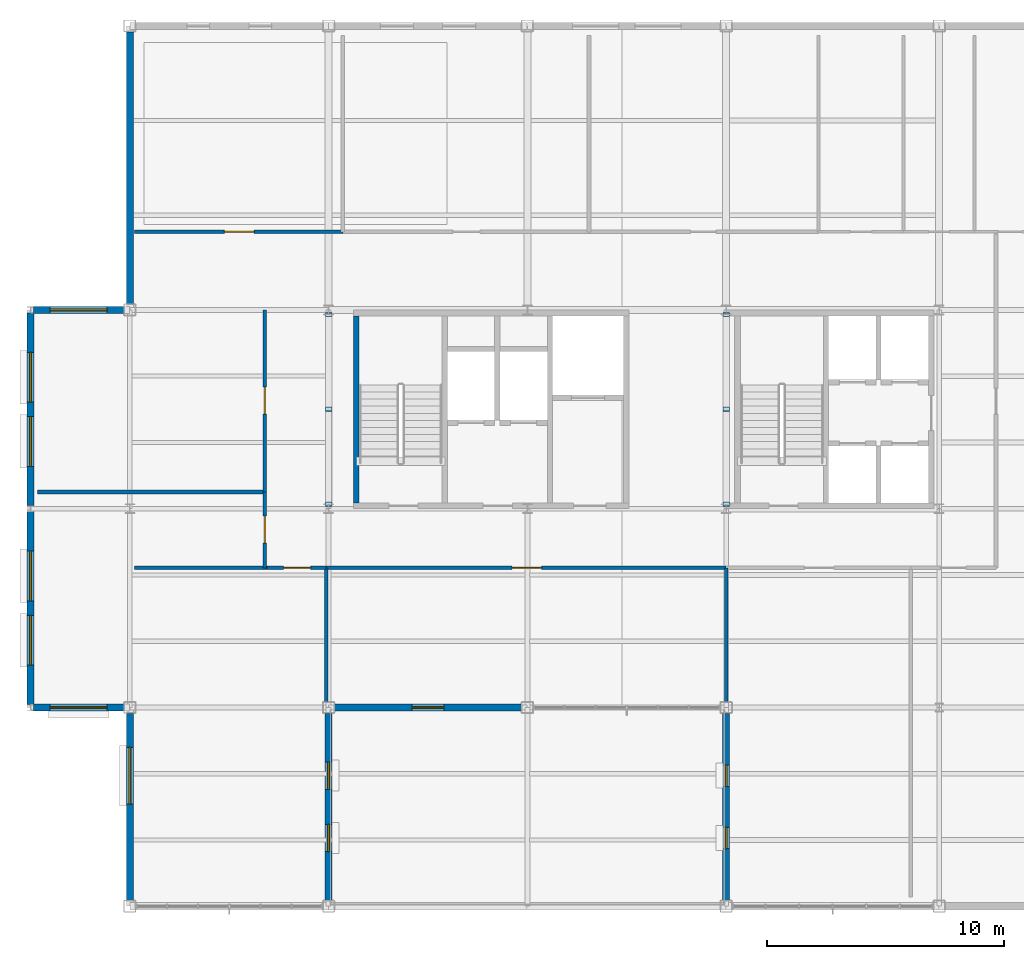
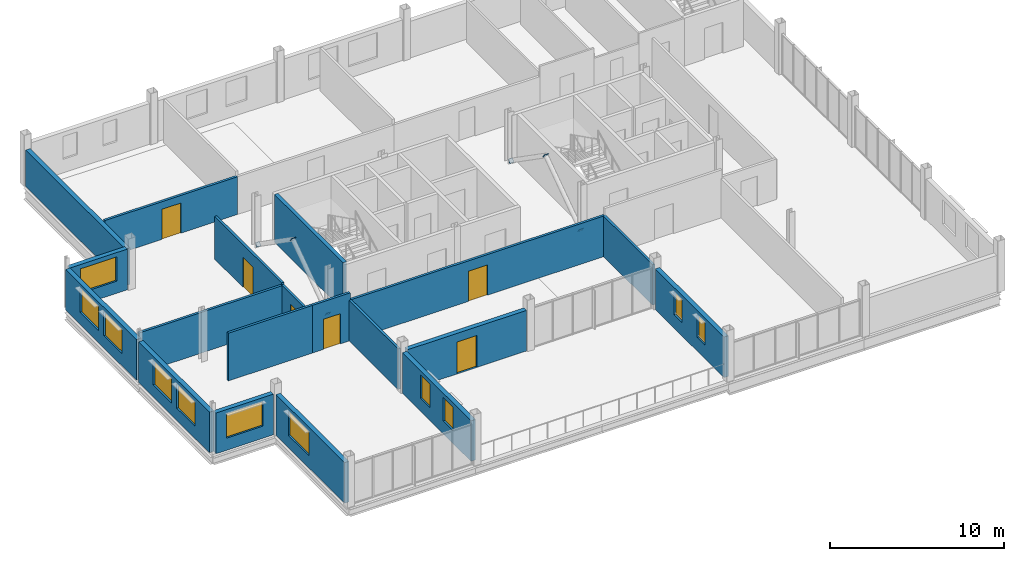
# One storey, part 13 of 20: 19 walls, 11 windows, 6 doors, 6 plates, 17 openings.
"""IFC4 building model written with IfcOpenShell, lengths in metres."""

from ifc_helpers import new_model, si_unit, direction, frame, frame_2d, origin, origin_2d, place, context, subcontext, project, spatial, rectangle, extrude, material, layer, layer_set, type_object, element, fill, save


model = new_model("IFC4")

# Units and contexts
model_context = context("Model", 3, precision=1e-05, world=origin(), true_north=direction((0.0, 1.0)))
body_context = subcontext(model_context, "Body", "Model", "MODEL_VIEW")
ifc_project = project(units=[si_unit("LENGTHUNIT", "METRE"), si_unit("AREAUNIT", "SQUARE_METRE"), si_unit("VOLUMEUNIT", "CUBIC_METRE"), si_unit("PLANEANGLEUNIT", "RADIAN"), si_unit("MASSUNIT", "GRAM", prefix="KILO")], contexts=[model_context])

# Site, building, storey
site_placement = place(None, origin())
site = spatial("IfcSite", under=ifc_project, at=site_placement, CompositionType="ELEMENT")
building_placement = place(site_placement, origin())
building = spatial("IfcBuilding", under=site, at=building_placement, Name="Yukiwa Park Conservatory and Herbarium", CompositionType="ELEMENT")
storey_placement = place(building_placement, frame((0.0, 0.0, 28.199951171875)))
storey = spatial("IfcBuildingStorey", under=building, at=storey_placement, Name="L07", CompositionType="ELEMENT", Elevation=28.199951171875)

# Plates
ifc_material_1 = material(Name="Steel Q355D", Category="steel")
ifc_layer_1 = layer(ifc_material_1, 0.02392578125)
ifc_layer_set_1 = layer_set([ifc_layer_1], Name="Steel Q355D")
plate_type = type_object("IfcPlateType", Name="PL-CAP-24-INT", PredefinedType="USERDEFINED", material=ifc_layer_set_1)
for number, where, z_axis, x_axis, name in (
    (1, (133.199951171875, 95.001953125, 0.1904296875), (0.0, -0.822557603224, -0.56868179976), (1.0, 0.0, 0.0), "Hollow section end cap plate CAP-BR-L07-041A"),
    (2, (133.199951171875, 98.993408203125, 2.972412109375), (0.0, 0.822557603224, 0.56868179976), (-1.0, 0.0, 0.0), "Hollow section end cap plate CAP-BR-L07-041B"),
    (3, (133.199951171875, 102.998046875, 0.1904296875), (0.0, 0.822557603224, -0.56868179976), (-1.0, 0.0, 0.0), "Hollow section end cap plate CAP-BR-L07-042A"),
    (4, (150.0, 95.001953125, 0.1904296875), (0.0, -0.822557603224, -0.56868179976), (1.0, 0.0, 0.0), "Hollow section end cap plate CAP-BR-L07-043A"),
    (5, (150.0, 98.993408203125, 2.972412109375), (0.0, 0.822557603224, 0.56868179976), (-1.0, 0.0, 0.0), "Hollow section end cap plate CAP-BR-L07-043B"),
    (6, (150.0, 102.998046875, 0.1904296875), (0.0, 0.822557603224, -0.56868179976), (-1.0, 0.0, 0.0), "Hollow section end cap plate CAP-BR-L07-044A"),
):
    element("IfcPlate", number, at=place(storey_placement, frame(where, z_axis=z_axis, x_axis=x_axis)), inside=storey, type_object=plate_type, Name=name, ObjectType="END CAP PLATE", PredefinedType="USERDEFINED", context=body_context, shape_type="SweptSolid", body=[
        extrude(rectangle(XDim=0.281005859375, YDim=0.281005859375, at=origin_2d()), origin(), (0.0, 0.0, 1.0), 0.02392578125),
    ])

# Wall
ifc_material_2 = material(Name="Concrete C50", Category="concrete")
ifc_layer_2 = layer(ifc_material_2, 0.239990234375)
ifc_layer_set_2 = layer_set([ifc_layer_2], Name="Concrete C50")
wall_type_1 = type_object("IfcWallType", Name="WL-CORE-RC240", PredefinedType="SHEAR", material=ifc_layer_set_2)
wall_1_placement = place(storey_placement, frame((134.3701171875, 95.050048828125, 0.0), z_axis=(0.0, 0.0, 1.0), x_axis=(0.0, 1.0, 0.0)))
element("IfcWall", 7, at=wall_1_placement, inside=storey, type_object=wall_type_1, Name="L07 core shear wall 472", PredefinedType="SHEAR", context=body_context, shape_type="SweptSolid", body=[
    extrude(rectangle(XDim=7.89990234375, YDim=0.239990234375, at=frame_2d((3.949951171875, 0.0))), origin(), (0.0, 0.0, 1.0), 3.35205078125),
])

# Wall, opening, window
ifc_material_3 = material(Name="Pale Granite Cladding", Category="masonry")
ifc_layer_3 = layer(ifc_material_3, 0.300048828125)
ifc_layer_set_3 = layer_set([ifc_layer_3], Name="Pale Granite Cladding")
wall_type_2 = type_object("IfcWallType", Name="WL-EXT-GRAN-300", PredefinedType="SOLIDWALL", material=ifc_layer_set_3)
wall_2_placement = place(storey_placement, frame((124.800048828125, 86.14990234375, 0.0), z_axis=(0.0, 0.0, 1.0), x_axis=(0.0, -1.0, 0.0)))
wall_2 = element("IfcWall", 8, at=wall_2_placement, inside=storey, type_object=wall_type_2, Name="L07 exterior envelope wall 303", PredefinedType="SOLIDWALL", context=body_context, shape_type="SweptSolid", body=[
    extrude(rectangle(XDim=7.89990234375, YDim=0.300048828125, at=frame_2d((3.949951171875, 0.0))), origin(), (0.0, 0.0, 1.0), 2.85205078125),
])
opening_1_placement = place(wall_2_placement, frame((1.43310546875, 0.0, 0.85009765625)))
opening_1 = element("IfcOpeningElement", 9, at=opening_1_placement, cuts=wall_2, Name="Opening W-09", PredefinedType="OPENING", context=body_context, shape_type="SweptSolid", body=[
    extrude(rectangle(XDim=2.39990234375, YDim=1.699951171875, at=frame_2d((1.199951171875, 0.85009765625))), frame((0.0, 0.16015625, 0.0), z_axis=(0.0, -1.0, 0.0), x_axis=(1.0, 0.0, 0.0)), (0.0, 0.0, 1.0), 0.320068359375),
])
ifc_material_4 = material(Name="Triple Low-E Insulated Glass", Category="glass")
window_type_1 = type_object("IfcWindowType", Name="WN-TW-2400X2100", PartitioningType="SINGLE_PANEL", PredefinedType="WINDOW", material=ifc_material_4)
window_1_placement = place(opening_1_placement, origin())
window_1 = element("IfcWindow", 10, at=window_1_placement, inside=storey, type_object=window_type_1, Name="L07 deep-reveal triple-glazed window 235", OverallHeight=1.699951171875, OverallWidth=2.39990234375, PartitioningType="SINGLE_PANEL", PredefinedType="WINDOW", context=body_context, shape_type="SweptSolid", body=[
    extrude(rectangle(XDim=2.39990234375, YDim=1.699951171875, at=frame_2d((1.199951171875, 0.85009765625))), frame((0.0, 0.030029296875, 0.0), z_axis=(0.0, -1.0, 0.0), x_axis=(1.0, 0.0, 0.0)), (0.0, 0.0, 1.0), 0.06005859375),
])
fill(opening_1, window_1)

# Wall, openings, windows
wall_3_placement = place(storey_placement, frame((133.199951171875, 78.25, 0.0), z_axis=(0.0, 0.0, 1.0), x_axis=(0.0, 1.0, 0.0)))
wall_3 = element("IfcWall", 11, at=wall_3_placement, inside=storey, type_object=wall_type_2, Name="L07 exterior envelope wall 304", PredefinedType="SOLIDWALL", context=body_context, shape_type="SweptSolid", body=[
    extrude(rectangle(XDim=7.89990234375, YDim=0.300048828125, at=frame_2d((3.949951171875, 0.0))), origin(), (0.0, 0.0, 1.0), 2.85205078125),
])
opening_2_placement = place(wall_3_placement, frame((2.05810546875, 0.0, 0.89990234375)))
opening_2 = element("IfcOpeningElement", 12, at=opening_2_placement, cuts=wall_3, Name="Opening W-22", PredefinedType="OPENING", context=body_context, shape_type="SweptSolid", body=[
    extrude(rectangle(XDim=1.14990234375, YDim=1.64990234375, at=frame_2d((0.574951171875, 0.824951171875))), frame((0.0, 0.16015625, 0.0), z_axis=(0.0, -1.0, 0.0), x_axis=(1.0, 0.0, 0.0)), (0.0, 0.0, 1.0), 0.320068359375),
])
opening_3_placement = place(wall_3_placement, frame((4.69189453125, 0.0, 0.89990234375)))
opening_3 = element("IfcOpeningElement", 13, at=opening_3_placement, cuts=wall_3, Name="Opening W-22", PredefinedType="OPENING", context=body_context, shape_type="SweptSolid", body=[
    extrude(rectangle(XDim=1.14990234375, YDim=1.64990234375, at=frame_2d((0.574951171875, 0.824951171875))), frame((0.0, 0.16015625, 0.0), z_axis=(0.0, -1.0, 0.0), x_axis=(1.0, 0.0, 0.0)), (0.0, 0.0, 1.0), 0.320068359375),
])
ifc_material_5 = material(Name="Triple Low-E Insulated Glass", Category="glass")
window_type_2 = type_object("IfcWindowType", Name="WN-TW-1150X2000", PartitioningType="SINGLE_PANEL", PredefinedType="WINDOW", material=ifc_material_5)
window_2_placement = place(opening_2_placement, origin())
window_2 = element("IfcWindow", 14, at=window_2_placement, inside=storey, type_object=window_type_2, Name="L07 deep-reveal triple-glazed window 236", OverallHeight=1.64990234375, OverallWidth=1.14990234375, PartitioningType="SINGLE_PANEL", PredefinedType="WINDOW", context=body_context, shape_type="SweptSolid", body=[
    extrude(rectangle(XDim=1.14990234375, YDim=1.64990234375, at=frame_2d((0.574951171875, 0.824951171875))), frame((0.0, 0.030029296875, 0.0), z_axis=(0.0, -1.0, 0.0), x_axis=(1.0, 0.0, 0.0)), (0.0, 0.0, 1.0), 0.06005859375),
])
fill(opening_2, window_2)
window_3_placement = place(opening_3_placement, origin())
window_3 = element("IfcWindow", 15, at=window_3_placement, inside=storey, type_object=window_type_2, Name="L07 deep-reveal triple-glazed window 237", OverallHeight=1.64990234375, OverallWidth=1.14990234375, PartitioningType="SINGLE_PANEL", PredefinedType="WINDOW", context=body_context, shape_type="SweptSolid", body=[
    extrude(rectangle(XDim=1.14990234375, YDim=1.64990234375, at=frame_2d((0.574951171875, 0.824951171875))), frame((0.0, 0.030029296875, 0.0), z_axis=(0.0, -1.0, 0.0), x_axis=(1.0, 0.0, 0.0)), (0.0, 0.0, 1.0), 0.06005859375),
])
fill(opening_3, window_3)

# Wall, opening, door
wall_4_placement = place(storey_placement, frame((133.449951171875, 86.39990234375, 0.0), z_axis=(0.0, 0.0, 1.0), x_axis=(1.0, 0.0, 0.0)))
wall_4 = element("IfcWall", 16, at=wall_4_placement, inside=storey, type_object=wall_type_2, Name="L07 exterior envelope wall 305", PredefinedType="SOLIDWALL", context=body_context, shape_type="SweptSolid", body=[
    extrude(rectangle(XDim=7.900146484375, YDim=0.300048828125, at=frame_2d((3.9501953125, 0.0))), origin(), (0.0, 0.0, 1.0), 2.85205078125),
])
opening_4_placement = place(wall_4_placement, frame((3.27490234375, 0.0, 0.0)))
opening_4 = element("IfcOpeningElement", 17, at=opening_4_placement, cuts=wall_4, Name="Opening TD-03", PredefinedType="OPENING", context=body_context, shape_type="SweptSolid", body=[
    extrude(rectangle(XDim=1.35009765625, YDim=2.239990234375, at=frame_2d((0.675048828125, 1.1201171875))), frame((0.0, 0.16015625, 0.0), z_axis=(0.0, -1.0, 0.0), x_axis=(1.0, 0.0, 0.0)), (0.0, 0.0, 1.0), 0.320068359375),
])
ifc_material_6 = material(Name="Steel Q235B", Category="steel")
door_type_1 = type_object("IfcDoorType", Name="DR-EXT-TER1350", OperationType="SINGLE_SWING_RIGHT", PredefinedType="DOOR", material=ifc_material_6)
door_1_placement = place(opening_4_placement, frame((1.35009765625, 0.0, 0.0), z_axis=(0.0, 0.0, 1.0), x_axis=(-1.0, 0.0, 0.0)))
door_1 = element("IfcDoor", 18, at=door_1_placement, inside=storey, type_object=door_type_1, Name="L07 Court Notch Terrace door", OperationType="SINGLE_SWING_RIGHT", OverallHeight=2.239990234375, OverallWidth=1.35009765625, PredefinedType="DOOR", context=body_context, shape_type="SweptSolid", body=[
    extrude(rectangle(XDim=1.35009765625, YDim=2.239990234375, at=frame_2d((0.675048828125, 1.1201171875))), frame((0.0, 0.02490234375, 0.0), z_axis=(0.0, -1.0, 0.0), x_axis=(1.0, 0.0, 0.0)), (0.0, 0.0, 1.0), 0.050048828125),
])
fill(opening_4, door_1)

# Wall, openings, windows
wall_5_placement = place(storey_placement, frame((150.0, 86.14990234375, 0.0), z_axis=(0.0, 0.0, 1.0), x_axis=(0.0, -1.0, 0.0)))
wall_5 = element("IfcWall", 19, at=wall_5_placement, inside=storey, type_object=wall_type_2, Name="L07 exterior envelope wall 306", PredefinedType="SOLIDWALL", context=body_context, shape_type="SweptSolid", body=[
    extrude(rectangle(XDim=7.89990234375, YDim=0.300048828125, at=frame_2d((3.949951171875, 0.0))), origin(), (0.0, 0.0, 1.0), 2.85205078125),
])
opening_5_placement = place(wall_5_placement, frame((2.18310546875, 0.0, 0.949951171875)))
opening_5 = element("IfcOpeningElement", 20, at=opening_5_placement, cuts=wall_5, Name="Opening W-01", PredefinedType="OPENING", context=body_context, shape_type="SweptSolid", body=[
    extrude(rectangle(XDim=0.89990234375, YDim=1.60009765625, at=frame_2d((0.449951171875, 0.800048828125))), frame((0.0, 0.16015625, 0.0), z_axis=(0.0, -1.0, 0.0), x_axis=(1.0, 0.0, 0.0)), (0.0, 0.0, 1.0), 0.320068359375),
])
opening_6_placement = place(wall_5_placement, frame((4.81689453125, 0.0, 0.949951171875)))
opening_6 = element("IfcOpeningElement", 21, at=opening_6_placement, cuts=wall_5, Name="Opening W-01", PredefinedType="OPENING", context=body_context, shape_type="SweptSolid", body=[
    extrude(rectangle(XDim=0.89990234375, YDim=1.60009765625, at=frame_2d((0.449951171875, 0.800048828125))), frame((0.0, 0.16015625, 0.0), z_axis=(0.0, -1.0, 0.0), x_axis=(1.0, 0.0, 0.0)), (0.0, 0.0, 1.0), 0.320068359375),
])
ifc_material_7 = material(Name="Triple Low-E Insulated Glass", Category="glass")
window_type_3 = type_object("IfcWindowType", Name="WN-TW-0900X1800", PartitioningType="SINGLE_PANEL", PredefinedType="WINDOW", material=ifc_material_7)
window_4_placement = place(opening_5_placement, origin())
window_4 = element("IfcWindow", 22, at=window_4_placement, inside=storey, type_object=window_type_3, Name="L07 deep-reveal triple-glazed window 238", OverallHeight=1.60009765625, OverallWidth=0.89990234375, PartitioningType="SINGLE_PANEL", PredefinedType="WINDOW", context=body_context, shape_type="SweptSolid", body=[
    extrude(rectangle(XDim=0.89990234375, YDim=1.60009765625, at=frame_2d((0.449951171875, 0.800048828125))), frame((0.0, 0.030029296875, 0.0), z_axis=(0.0, -1.0, 0.0), x_axis=(1.0, 0.0, 0.0)), (0.0, 0.0, 1.0), 0.06005859375),
])
fill(opening_5, window_4)
window_5_placement = place(opening_6_placement, origin())
window_5 = element("IfcWindow", 23, at=window_5_placement, inside=storey, type_object=window_type_3, Name="L07 deep-reveal triple-glazed window 239", OverallHeight=1.60009765625, OverallWidth=0.89990234375, PartitioningType="SINGLE_PANEL", PredefinedType="WINDOW", context=body_context, shape_type="SweptSolid", body=[
    extrude(rectangle(XDim=0.89990234375, YDim=1.60009765625, at=frame_2d((0.449951171875, 0.800048828125))), frame((0.0, 0.030029296875, 0.0), z_axis=(0.0, -1.0, 0.0), x_axis=(1.0, 0.0, 0.0)), (0.0, 0.0, 1.0), 0.06005859375),
])
fill(opening_6, window_5)

# Wall
wall_6_placement = place(storey_placement, frame((124.800048828125, 114.949951171875, 0.0), z_axis=(0.0, 0.0, 1.0), x_axis=(0.0, -1.0, 0.0)))
element("IfcWall", 24, at=wall_6_placement, inside=storey, type_object=wall_type_2, Name="L07 exterior envelope wall 315", PredefinedType="SOLIDWALL", context=body_context, shape_type="SweptSolid", body=[
    extrude(rectangle(XDim=11.5, YDim=0.300048828125, at=frame_2d((5.75, 0.0))), origin(), (0.0, 0.0, 1.0), 2.56005859375),
])

# Wall, opening, window
wall_7_placement = place(storey_placement, frame((124.550048828125, 103.199951171875, 0.0), z_axis=(0.0, 0.0, 1.0), x_axis=(-1.0, 0.0, 0.0)))
wall_7 = element("IfcWall", 25, at=wall_7_placement, inside=storey, type_object=wall_type_2, Name="L07 exterior envelope wall 316", PredefinedType="SOLIDWALL", context=body_context, shape_type="SweptSolid", body=[
    extrude(rectangle(XDim=3.824951171875, YDim=0.300048828125, at=frame_2d((1.91259765625, 0.0))), origin(), (0.0, 0.0, 1.0), 2.858154296875),
])
opening_7_placement = place(wall_7_placement, frame((0.712890625, 0.0, 0.85009765625)))
opening_7 = element("IfcOpeningElement", 26, at=opening_7_placement, cuts=wall_7, Name="Opening W-09", PredefinedType="OPENING", context=body_context, shape_type="SweptSolid", body=[
    extrude(rectangle(XDim=2.39990234375, YDim=1.7099609375, at=frame_2d((1.199951171875, 0.85498046875))), frame((0.0, 0.16015625, 0.0), z_axis=(0.0, -1.0, 0.0), x_axis=(1.0, 0.0, 0.0)), (0.0, 0.0, 1.0), 0.320068359375),
])
window_6_placement = place(opening_7_placement, origin())
window_6 = element("IfcWindow", 27, at=window_6_placement, inside=storey, type_object=window_type_1, Name="L07 deep-reveal triple-glazed window 248", OverallHeight=1.7099609375, OverallWidth=2.39990234375, PartitioningType="SINGLE_PANEL", PredefinedType="WINDOW", context=body_context, shape_type="SweptSolid", body=[
    extrude(rectangle(XDim=2.39990234375, YDim=1.7099609375, at=frame_2d((1.199951171875, 0.85498046875))), frame((0.0, 0.030029296875, 0.0), z_axis=(0.0, -1.0, 0.0), x_axis=(1.0, 0.0, 0.0)), (0.0, 0.0, 1.0), 0.06005859375),
])
fill(opening_7, window_6)

# Wall, openings, windows
wall_8_placement = place(storey_placement, frame((120.60009765625, 103.074951171875, 0.0), z_axis=(0.0, 0.0, 1.0), x_axis=(0.0, -1.0, 0.0)))
wall_8 = element("IfcWall", 28, at=wall_8_placement, inside=storey, type_object=wall_type_2, Name="L07 exterior envelope wall 317", PredefinedType="SOLIDWALL", context=body_context, shape_type="SweptSolid", body=[
    extrude(rectangle(XDim=8.14990234375, YDim=0.300048828125, at=frame_2d((4.074951171875, 0.0))), origin(), (0.0, 0.0, 1.0), 2.85205078125),
])
opening_8_placement = place(wall_8_placement, frame((1.6669921875, 0.0, 0.85009765625)))
opening_8 = element("IfcOpeningElement", 29, at=opening_8_placement, cuts=wall_8, Name="Opening W-08", PredefinedType="OPENING", context=body_context, shape_type="SweptSolid", body=[
    extrude(rectangle(XDim=2.10009765625, YDim=1.699951171875, at=frame_2d((1.050048828125, 0.85009765625))), frame((0.0, 0.16015625, 0.0), z_axis=(0.0, -1.0, 0.0), x_axis=(1.0, 0.0, 0.0)), (0.0, 0.0, 1.0), 0.320068359375),
])
opening_9_placement = place(wall_8_placement, frame((4.383056640625, 0.0, 0.85009765625)))
opening_9 = element("IfcOpeningElement", 30, at=opening_9_placement, cuts=wall_8, Name="Opening W-08", PredefinedType="OPENING", context=body_context, shape_type="SweptSolid", body=[
    extrude(rectangle(XDim=2.10009765625, YDim=1.699951171875, at=frame_2d((1.050048828125, 0.85009765625))), frame((0.0, 0.16015625, 0.0), z_axis=(0.0, -1.0, 0.0), x_axis=(1.0, 0.0, 0.0)), (0.0, 0.0, 1.0), 0.320068359375),
])
ifc_material_8 = material(Name="Triple Low-E Insulated Glass", Category="glass")
window_type_4 = type_object("IfcWindowType", Name="WN-TW-2100X2100", PartitioningType="SINGLE_PANEL", PredefinedType="WINDOW", material=ifc_material_8)
window_7_placement = place(opening_8_placement, origin())
window_7 = element("IfcWindow", 31, at=window_7_placement, inside=storey, type_object=window_type_4, Name="L07 deep-reveal triple-glazed window 249", OverallHeight=1.699951171875, OverallWidth=2.10009765625, PartitioningType="SINGLE_PANEL", PredefinedType="WINDOW", context=body_context, shape_type="SweptSolid", body=[
    extrude(rectangle(XDim=2.10009765625, YDim=1.699951171875, at=frame_2d((1.050048828125, 0.85009765625))), frame((0.0, 0.030029296875, 0.0), z_axis=(0.0, -1.0, 0.0), x_axis=(1.0, 0.0, 0.0)), (0.0, 0.0, 1.0), 0.06005859375),
])
fill(opening_8, window_7)
window_8_placement = place(opening_9_placement, origin())
window_8 = element("IfcWindow", 32, at=window_8_placement, inside=storey, type_object=window_type_4, Name="L07 deep-reveal triple-glazed window 250", OverallHeight=1.699951171875, OverallWidth=2.10009765625, PartitioningType="SINGLE_PANEL", PredefinedType="WINDOW", context=body_context, shape_type="SweptSolid", body=[
    extrude(rectangle(XDim=2.10009765625, YDim=1.699951171875, at=frame_2d((1.050048828125, 0.85009765625))), frame((0.0, 0.030029296875, 0.0), z_axis=(0.0, -1.0, 0.0), x_axis=(1.0, 0.0, 0.0)), (0.0, 0.0, 1.0), 0.06005859375),
])
fill(opening_9, window_8)

wall_9_placement = place(storey_placement, frame((120.60009765625, 94.675048828125, 0.0), z_axis=(0.0, 0.0, 1.0), x_axis=(0.0, -1.0, 0.0)))
wall_9 = element("IfcWall", 33, at=wall_9_placement, inside=storey, type_object=wall_type_2, Name="L07 exterior envelope wall 318", PredefinedType="SOLIDWALL", context=body_context, shape_type="SweptSolid", body=[
    extrude(rectangle(XDim=8.150146484375, YDim=0.300048828125, at=frame_2d((4.0751953125, 0.0))), origin(), (0.0, 0.0, 1.0), 2.85205078125),
])
opening_10_placement = place(wall_9_placement, frame((1.6669921875, 0.0, 0.85009765625)))
opening_10 = element("IfcOpeningElement", 34, at=opening_10_placement, cuts=wall_9, Name="Opening W-08", PredefinedType="OPENING", context=body_context, shape_type="SweptSolid", body=[
    extrude(rectangle(XDim=2.10009765625, YDim=1.699951171875, at=frame_2d((1.050048828125, 0.85009765625))), frame((0.0, 0.16015625, 0.0), z_axis=(0.0, -1.0, 0.0), x_axis=(1.0, 0.0, 0.0)), (0.0, 0.0, 1.0), 0.320068359375),
])
opening_11_placement = place(wall_9_placement, frame((4.383056640625, 0.0, 0.85009765625)))
opening_11 = element("IfcOpeningElement", 35, at=opening_11_placement, cuts=wall_9, Name="Opening W-08", PredefinedType="OPENING", context=body_context, shape_type="SweptSolid", body=[
    extrude(rectangle(XDim=2.10009765625, YDim=1.699951171875, at=frame_2d((1.050048828125, 0.85009765625))), frame((0.0, 0.16015625, 0.0), z_axis=(0.0, -1.0, 0.0), x_axis=(1.0, 0.0, 0.0)), (0.0, 0.0, 1.0), 0.320068359375),
])
window_9_placement = place(opening_10_placement, origin())
window_9 = element("IfcWindow", 36, at=window_9_placement, inside=storey, type_object=window_type_4, Name="L07 deep-reveal triple-glazed window 251", OverallHeight=1.699951171875, OverallWidth=2.10009765625, PartitioningType="SINGLE_PANEL", PredefinedType="WINDOW", context=body_context, shape_type="SweptSolid", body=[
    extrude(rectangle(XDim=2.10009765625, YDim=1.699951171875, at=frame_2d((1.050048828125, 0.85009765625))), frame((0.0, 0.030029296875, 0.0), z_axis=(0.0, -1.0, 0.0), x_axis=(1.0, 0.0, 0.0)), (0.0, 0.0, 1.0), 0.06005859375),
])
fill(opening_10, window_9)
window_10_placement = place(opening_11_placement, origin())
window_10 = element("IfcWindow", 37, at=window_10_placement, inside=storey, type_object=window_type_4, Name="L07 deep-reveal triple-glazed window 252", OverallHeight=1.699951171875, OverallWidth=2.10009765625, PartitioningType="SINGLE_PANEL", PredefinedType="WINDOW", context=body_context, shape_type="SweptSolid", body=[
    extrude(rectangle(XDim=2.10009765625, YDim=1.699951171875, at=frame_2d((1.050048828125, 0.85009765625))), frame((0.0, 0.030029296875, 0.0), z_axis=(0.0, -1.0, 0.0), x_axis=(1.0, 0.0, 0.0)), (0.0, 0.0, 1.0), 0.06005859375),
])
fill(opening_11, window_10)

# Wall, opening, window
wall_10_placement = place(storey_placement, frame((120.72509765625, 86.39990234375, 0.0), z_axis=(0.0, 0.0, 1.0), x_axis=(1.0, 0.0, 0.0)))
wall_10 = element("IfcWall", 38, at=wall_10_placement, inside=storey, type_object=wall_type_2, Name="L07 exterior envelope wall 319", PredefinedType="SOLIDWALL", context=body_context, shape_type="SweptSolid", body=[
    extrude(rectangle(XDim=3.824951171875, YDim=0.300048828125, at=frame_2d((1.91259765625, 0.0))), origin(), (0.0, 0.0, 1.0), 2.858154296875),
])
opening_12_placement = place(wall_10_placement, frame((0.712890625, 0.0, 0.85009765625)))
opening_12 = element("IfcOpeningElement", 39, at=opening_12_placement, cuts=wall_10, Name="Opening W-09", PredefinedType="OPENING", context=body_context, shape_type="SweptSolid", body=[
    extrude(rectangle(XDim=2.39990234375, YDim=1.7099609375, at=frame_2d((1.199951171875, 0.85498046875))), frame((0.0, 0.16015625, 0.0), z_axis=(0.0, -1.0, 0.0), x_axis=(1.0, 0.0, 0.0)), (0.0, 0.0, 1.0), 0.320068359375),
])
window_11_placement = place(opening_12_placement, origin())
window_11 = element("IfcWindow", 40, at=window_11_placement, inside=storey, type_object=window_type_1, Name="L07 deep-reveal triple-glazed window 253", OverallHeight=1.7099609375, OverallWidth=2.39990234375, PartitioningType="SINGLE_PANEL", PredefinedType="WINDOW", context=body_context, shape_type="SweptSolid", body=[
    extrude(rectangle(XDim=2.39990234375, YDim=1.7099609375, at=frame_2d((1.199951171875, 0.85498046875))), frame((0.0, 0.030029296875, 0.0), z_axis=(0.0, -1.0, 0.0), x_axis=(1.0, 0.0, 0.0)), (0.0, 0.0, 1.0), 0.06005859375),
])
fill(opening_12, window_11)

# Wall, opening, door
ifc_material_9 = material(Name="Gypsum Board Partition", Category="gypsum")
ifc_layer_4 = layer(ifc_material_9, 0.159912109375)
ifc_layer_set_4 = layer_set([ifc_layer_4], Name="Gypsum Board Partition")
wall_type_3 = type_object("IfcWallType", Name="WL-PART-GYP-160", PredefinedType="PARTITIONING", material=ifc_layer_set_4)
wall_11_placement = place(storey_placement, frame((130.5, 92.300048828125, 0.0), z_axis=(0.0, 0.0, 1.0), x_axis=(0.0, 1.0, 0.0)))
wall_11 = element("IfcWall", 41, at=wall_11_placement, inside=storey, type_object=wall_type_3, Name="L07 interior partition wall 504", PredefinedType="PARTITIONING", context=body_context, shape_type="SweptSolid", body=[
    extrude(rectangle(XDim=3.199951171875, YDim=0.159912109375, at=frame_2d((1.60009765625, 0.0))), origin(), (0.0, 0.0, 1.0), 2.85595703125),
])
opening_13_placement = place(wall_11_placement, frame((1.050048828125, 0.0, 0.0)))
opening_13 = element("IfcOpeningElement", 42, at=opening_13_placement, cuts=wall_11, Name="Opening LD-11", PredefinedType="OPENING", context=body_context, shape_type="SweptSolid", body=[
    extrude(rectangle(XDim=1.139892578125, YDim=2.1201171875, at=frame_2d((0.56982421875, 1.06005859375))), frame((0.0, 0.08984375, 0.0), z_axis=(0.0, -1.0, 0.0), x_axis=(1.0, 0.0, 0.0)), (0.0, 0.0, 1.0), 0.179931640625),
])
ifc_material_10 = material(Name="Steel Q235B", Category="steel")
door_type_2 = type_object("IfcDoorType", Name="DR-LAB-1100", OperationType="SINGLE_SWING_RIGHT", PredefinedType="DOOR", material=ifc_material_10)
door_2_placement = place(opening_13_placement, origin())
door_2 = element("IfcDoor", 43, at=door_2_placement, inside=storey, type_object=door_type_2, Name="L07 Microscopy Prep door", OperationType="SINGLE_SWING_RIGHT", OverallHeight=2.1201171875, OverallWidth=1.139892578125, PredefinedType="DOOR", context=body_context, shape_type="SweptSolid", body=[
    extrude(rectangle(XDim=1.139892578125, YDim=2.1201171875, at=frame_2d((0.56982421875, 1.06005859375))), frame((0.0, 0.02490234375, 0.0), z_axis=(0.0, -1.0, 0.0), x_axis=(1.0, 0.0, 0.0)), (0.0, 0.0, 1.0), 0.050048828125),
])
fill(opening_13, door_2)

wall_12_placement = place(storey_placement, frame((130.5, 95.5, 0.0), z_axis=(0.0, 0.0, 1.0), x_axis=(0.0, 1.0, 0.0)))
wall_12 = element("IfcWall", 44, at=wall_12_placement, inside=storey, type_object=wall_type_3, Name="L07 interior partition wall 505", PredefinedType="PARTITIONING", context=body_context, shape_type="SweptSolid", body=[
    extrude(rectangle(XDim=7.699951171875, YDim=0.159912109375, at=frame_2d((3.85009765625, 0.0))), origin(), (0.0, 0.0, 1.0), 3.006103515625),
])
opening_14_placement = place(wall_12_placement, frame((3.300048828125, 0.0, 0.0)))
opening_14 = element("IfcOpeningElement", 45, at=opening_14_placement, cuts=wall_12, Name="Opening LD-11", PredefinedType="OPENING", context=body_context, shape_type="SweptSolid", body=[
    extrude(rectangle(XDim=1.139892578125, YDim=2.1201171875, at=frame_2d((0.56982421875, 1.06005859375))), frame((0.0, 0.08984375, 0.0), z_axis=(0.0, -1.0, 0.0), x_axis=(1.0, 0.0, 0.0)), (0.0, 0.0, 1.0), 0.179931640625),
])
door_3_placement = place(opening_14_placement, origin())
door_3 = element("IfcDoor", 46, at=door_3_placement, inside=storey, type_object=door_type_2, Name="L07 Confocal Suite door", OperationType="SINGLE_SWING_RIGHT", OverallHeight=2.1201171875, OverallWidth=1.139892578125, PredefinedType="DOOR", context=body_context, shape_type="SweptSolid", body=[
    extrude(rectangle(XDim=1.139892578125, YDim=2.1201171875, at=frame_2d((0.56982421875, 1.06005859375))), frame((0.0, 0.02490234375, 0.0), z_axis=(0.0, -1.0, 0.0), x_axis=(1.0, 0.0, 0.0)), (0.0, 0.0, 1.0), 0.050048828125),
])
fill(opening_14, door_3)

# Wall
wall_13_placement = place(storey_placement, frame((120.89990234375, 95.5, 0.0), z_axis=(0.0, 0.0, 1.0), x_axis=(1.0, 0.0, 0.0)))
element("IfcWall", 47, at=wall_13_placement, inside=storey, type_object=wall_type_3, Name="L07 interior partition wall 506", PredefinedType="PARTITIONING", context=body_context, shape_type="SweptSolid", body=[
    extrude(rectangle(XDim=9.60009765625, YDim=0.159912109375, at=frame_2d((4.800048828125, 0.0))), origin(), (0.0, 0.0, 1.0), 2.85205078125),
])

# Wall, opening, door
wall_14_placement = place(storey_placement, frame((130.60009765625, 92.300048828125, 0.0), z_axis=(0.0, 0.0, 1.0), x_axis=(1.0, 0.0, 0.0)))
wall_14 = element("IfcWall", 48, at=wall_14_placement, inside=storey, type_object=wall_type_3, Name="L07 interior partition wall 507", PredefinedType="PARTITIONING", context=body_context, shape_type="SweptSolid", body=[
    extrude(rectangle(XDim=2.5, YDim=0.159912109375, at=frame_2d((1.25, 0.0))), origin(), (0.0, 0.0, 1.0), 3.35205078125),
])
opening_15_placement = place(wall_14_placement, frame((0.699951171875, 0.0, 0.0)))
opening_15 = element("IfcOpeningElement", 49, at=opening_15_placement, cuts=wall_14, Name="Opening LD-11", PredefinedType="OPENING", context=body_context, shape_type="SweptSolid", body=[
    extrude(rectangle(XDim=1.139892578125, YDim=2.1201171875, at=frame_2d((0.56982421875, 1.06005859375))), frame((0.0, 0.08984375, 0.0), z_axis=(0.0, -1.0, 0.0), x_axis=(1.0, 0.0, 0.0)), (0.0, 0.0, 1.0), 0.179931640625),
])
door_4_placement = place(opening_15_placement, origin())
door_4 = element("IfcDoor", 50, at=door_4_placement, inside=storey, type_object=door_type_2, Name="L07 Plant Pathology Lab door", OperationType="SINGLE_SWING_RIGHT", OverallHeight=2.1201171875, OverallWidth=1.139892578125, PredefinedType="DOOR", context=body_context, shape_type="SweptSolid", body=[
    extrude(rectangle(XDim=1.139892578125, YDim=2.1201171875, at=frame_2d((0.56982421875, 1.06005859375))), frame((0.0, 0.02490234375, 0.0), z_axis=(0.0, -1.0, 0.0), x_axis=(1.0, 0.0, 0.0)), (0.0, 0.0, 1.0), 0.050048828125),
])
fill(opening_15, door_4)

wall_15_placement = place(storey_placement, frame((133.10009765625, 92.300048828125, 0.0), z_axis=(0.0, 0.0, 1.0), x_axis=(1.0, 0.0, 0.0)))
wall_15 = element("IfcWall", 51, at=wall_15_placement, inside=storey, type_object=wall_type_3, Name="L07 interior partition wall 508", PredefinedType="PARTITIONING", context=body_context, shape_type="SweptSolid", body=[
    extrude(rectangle(XDim=16.89990234375, YDim=0.159912109375, at=frame_2d((8.449951171875, 0.0))), origin(), (0.0, 0.0, 1.0), 2.85205078125),
])
opening_16_placement = place(wall_15_placement, frame((7.85009765625, 0.0, 0.0)))
opening_16 = element("IfcOpeningElement", 52, at=opening_16_placement, cuts=wall_15, Name="Opening LD-12", PredefinedType="OPENING", context=body_context, shape_type="SweptSolid", body=[
    extrude(rectangle(XDim=1.25, YDim=2.1201171875, at=frame_2d((0.625, 1.06005859375))), frame((0.0, 0.08984375, 0.0), z_axis=(0.0, -1.0, 0.0), x_axis=(1.0, 0.0, 0.0)), (0.0, 0.0, 1.0), 0.179931640625),
])
ifc_material_11 = material(Name="Steel Q235B", Category="steel")
door_type_3 = type_object("IfcDoorType", Name="DR-LAB-1200", OperationType="SINGLE_SWING_LEFT", PredefinedType="DOOR", material=ifc_material_11)
door_5_placement = place(opening_16_placement, origin())
door_5 = element("IfcDoor", 53, at=door_5_placement, inside=storey, type_object=door_type_3, Name="L07 Histology Suite door", OperationType="SINGLE_SWING_LEFT", OverallHeight=2.1201171875, OverallWidth=1.25, PredefinedType="DOOR", context=body_context, shape_type="SweptSolid", body=[
    extrude(rectangle(XDim=1.25, YDim=2.1201171875, at=frame_2d((0.625, 1.06005859375))), frame((0.0, 0.02490234375, 0.0), z_axis=(0.0, -1.0, 0.0), x_axis=(1.0, 0.0, 0.0)), (0.0, 0.0, 1.0), 0.050048828125),
])
fill(opening_16, door_5)

# Walls
wall_16_placement = place(storey_placement, frame((125.0, 92.300048828125, 0.0), z_axis=(0.0, 0.0, 1.0), x_axis=(1.0, 0.0, 0.0)))
element("IfcWall", 54, at=wall_16_placement, inside=storey, type_object=wall_type_3, Name="L07 interior partition wall 511", PredefinedType="PARTITIONING", context=body_context, shape_type="SweptSolid", body=[
    extrude(rectangle(XDim=5.60009765625, YDim=0.159912109375, at=frame_2d((2.800048828125, 0.0))), origin(), (0.0, 0.0, 1.0), 3.35205078125),
])
for number, where, z_axis, x_axis, name in (
    (55, (133.10009765625, 86.60009765625, 0.0), (0.0, 0.0, 1.0), (0.0, 1.0, 0.0), "L07 interior partition wall 512"),
    (56, (150.0, 86.60009765625, 0.0), (0.0, 0.0, 1.0), (0.0, 1.0, 0.0), "L07 interior partition wall 513"),
):
    element("IfcWall", number, at=place(storey_placement, frame(where, z_axis=z_axis, x_axis=x_axis)), inside=storey, type_object=wall_type_3, Name=name, PredefinedType="PARTITIONING", context=body_context, shape_type="SweptSolid", body=[
        extrude(rectangle(XDim=5.699951171875, YDim=0.159912109375, at=frame_2d((2.85009765625, 0.0))), origin(), (0.0, 0.0, 1.0), 2.85205078125),
    ])

# Wall, opening, door
wall_17_placement = place(storey_placement, frame((125.0, 106.5, 0.0), z_axis=(0.0, 0.0, 1.0), x_axis=(1.0, 0.0, 0.0)))
wall_17 = element("IfcWall", 57, at=wall_17_placement, inside=storey, type_object=wall_type_3, Name="L07 interior partition wall 515", PredefinedType="PARTITIONING", context=body_context, shape_type="SweptSolid", body=[
    extrude(rectangle(XDim=8.800048828125, YDim=0.159912109375, at=frame_2d((4.39990234375, 0.0))), origin(), (0.0, 0.0, 1.0), 2.652099609375),
])
opening_17_placement = place(wall_17_placement, frame((3.800048828125, 0.0, 0.0)))
opening_17 = element("IfcOpeningElement", 58, at=opening_17_placement, cuts=wall_17, Name="Opening LD-12", PredefinedType="OPENING", context=body_context, shape_type="SweptSolid", body=[
    extrude(rectangle(XDim=1.25, YDim=2.1201171875, at=frame_2d((0.625, 1.06005859375))), frame((0.0, 0.08984375, 0.0), z_axis=(0.0, -1.0, 0.0), x_axis=(1.0, 0.0, 0.0)), (0.0, 0.0, 1.0), 0.179931640625),
])
door_6_placement = place(opening_17_placement, origin())
door_6 = element("IfcDoor", 59, at=door_6_placement, inside=storey, type_object=door_type_3, Name="L07 Soil Microbiome Lab door", OperationType="SINGLE_SWING_LEFT", OverallHeight=2.1201171875, OverallWidth=1.25, PredefinedType="DOOR", context=body_context, shape_type="SweptSolid", body=[
    extrude(rectangle(XDim=1.25, YDim=2.1201171875, at=frame_2d((0.625, 1.06005859375))), frame((0.0, 0.02490234375, 0.0), z_axis=(0.0, -1.0, 0.0), x_axis=(1.0, 0.0, 0.0)), (0.0, 0.0, 1.0), 0.050048828125),
])
fill(opening_17, door_6)

save(model, "model.ifc")
